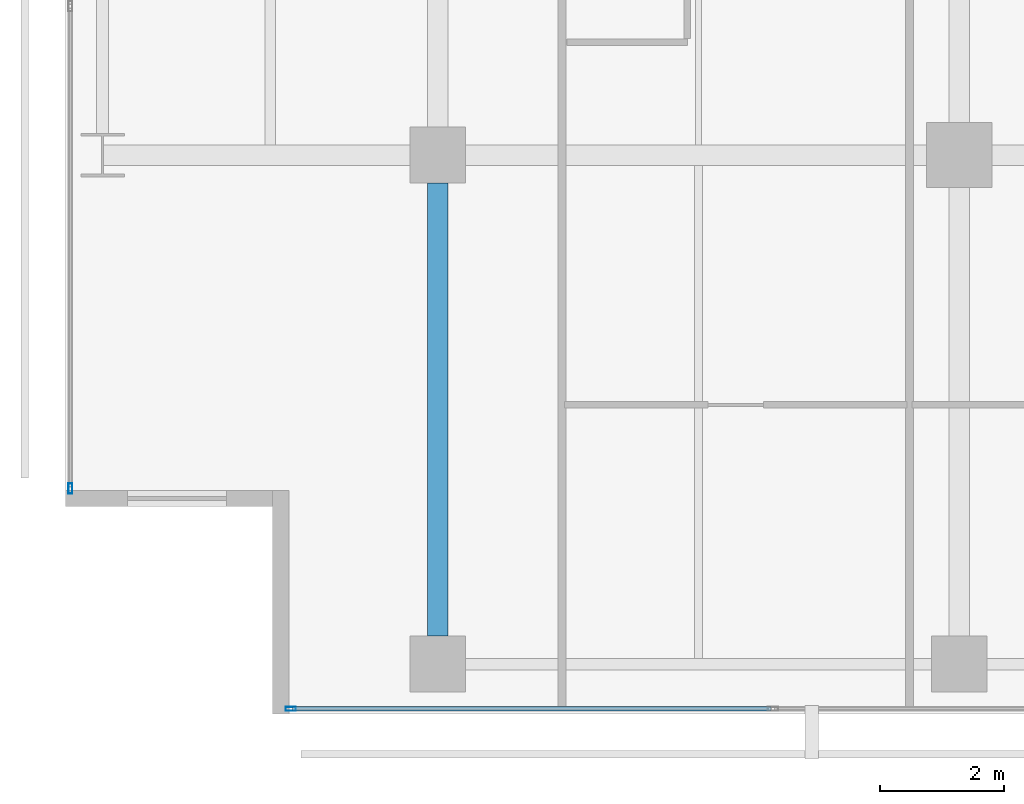
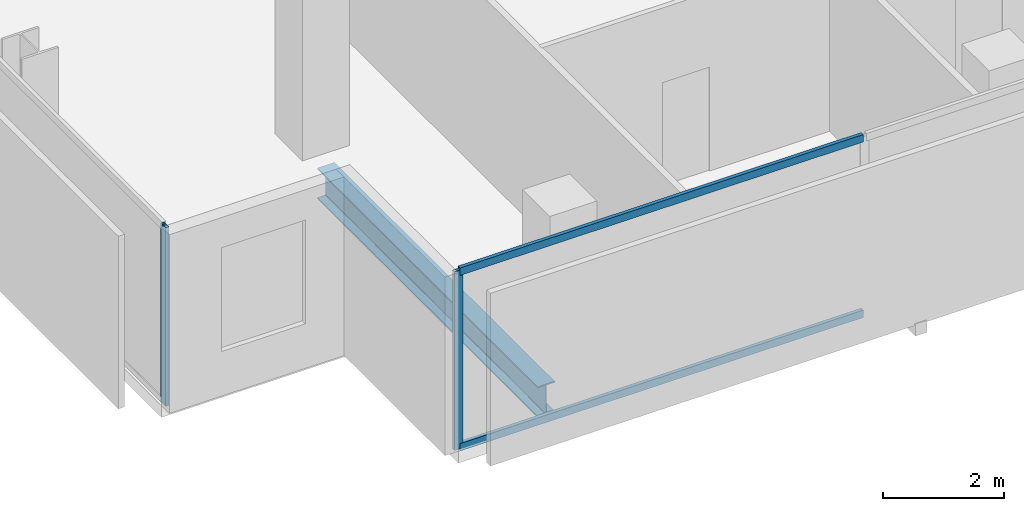
# One storey, part 2 of 40: 4 members, 1 beam, 2 elements without a shape of their own.
"""IFC4 building model written with IfcOpenShell, lengths in metres."""

from ifc_helpers import new_model, si_unit, direction, frame, origin, origin_2d, place, context, subcontext, project, spatial, hollow_rectangle, i_section, extrude, material, layer, layer_set, material_profile, profile_set, type_object, element, aggregate, save


model = new_model("IFC4")

# Units and contexts
model_context = context("Model", 3, precision=1e-05, world=origin(), true_north=direction((0.0, 1.0)))
body_context = subcontext(model_context, "Body", "Model", "MODEL_VIEW")
ifc_project = project(units=[si_unit("LENGTHUNIT", "METRE"), si_unit("AREAUNIT", "SQUARE_METRE"), si_unit("VOLUMEUNIT", "CUBIC_METRE"), si_unit("PLANEANGLEUNIT", "RADIAN"), si_unit("MASSUNIT", "GRAM", prefix="KILO")], contexts=[model_context])

# Site, building, storey
site_placement = place(None, origin())
site = spatial("IfcSite", under=ifc_project, at=site_placement, CompositionType="ELEMENT")
building_placement = place(site_placement, origin())
building = spatial("IfcBuilding", under=site, at=building_placement, Name="Maruvema Waterfront Hotel and Observation Tower", CompositionType="ELEMENT")
storey_placement = place(building_placement, frame((0.0, 0.0, 57.75)))
storey = spatial("IfcBuildingStorey", under=building, at=storey_placement, Name="L13", CompositionType="ELEMENT", Elevation=57.75)

# Curtain wall, members
ifc_material_1 = material(Name="Anodised bronze aluminium and solar-control low-E IGU", Category="aluminium")
ifc_layer = layer(ifc_material_1, 0.159912109375, Name="Zone 1 Bronze Inner Thermal Curtain Wall System CW-02")
ifc_layer_set = layer_set([ifc_layer], Name="Anodised bronze aluminium and solar-control low-E IGU")
curtain_wall_type = type_object("IfcCurtainWallType", Name="Zone 1 Bronze Inner Thermal Curtain Wall System CW-02", PredefinedType="USERDEFINED", material=ifc_layer_set)
curtain_wall_1_placement = place(storey_placement, origin())
curtain_wall_1 = element("IfcCurtainWall", 1, at=curtain_wall_1_placement, inside=storey, type_object=curtain_wall_type, Name="L13 Curtain Wall CW-L13-S", ObjectType="UNITISED CURTAIN WALL", PredefinedType="USERDEFINED")
ifc_material_2 = material(Name="Anodised architectural bronze aluminium", Category="aluminium")
ifc_material_profile_1 = material_profile(ifc_material_2, hollow_rectangle(XDim=0.070068359375, YDim=0.14990234375, WallThickness=0.00390625, at=origin_2d()), Name="ALU-T70x150")
ifc_profile_set_1 = profile_set([ifc_material_profile_1], Name="Anodised architectural bronze aluminium")
member_type_1 = type_object("IfcMemberType", Name="Curtain Wall Horizontal Transom ALU-T70x150", PredefinedType="USERDEFINED", material=ifc_profile_set_1)
member_1_placement = place(storey_placement, frame((14.4599609375, 0.080078125, 0.030029296875), z_axis=(1.0, 0.0, 0.0), x_axis=(0.0, 1.0, 0.0)))
member_1 = element("IfcMember", 2, at=member_1_placement, type_object=member_type_1, Name="CW-02 transom 1.1", ObjectType="TRANSOM", PredefinedType="USERDEFINED", context=body_context, shape_type="SweptSolid", body=[
    extrude(hollow_rectangle(XDim=0.070068359375, YDim=0.14990234375, WallThickness=0.00390625, at=origin_2d()), origin(), (0.0, 0.0, 1.0), 7.7099609375),
])
member_2_placement = place(storey_placement, frame((14.4599609375, 0.080078125, 3.580078125), z_axis=(1.0, 0.0, 0.0), x_axis=(0.0, 1.0, 0.0)))
member_2 = element("IfcMember", 3, at=member_2_placement, type_object=member_type_1, Name="CW-02 transom 1.2", ObjectType="TRANSOM", PredefinedType="USERDEFINED", context=body_context, shape_type="SweptSolid", body=[
    extrude(hollow_rectangle(XDim=0.070068359375, YDim=0.14990234375, WallThickness=0.00390625, at=origin_2d()), origin(), (0.0, 0.0, 1.0), 7.7099609375),
])
ifc_material_3 = material(Name="Anodised architectural bronze aluminium", Category="aluminium")
ifc_material_profile_2 = material_profile(ifc_material_3, hollow_rectangle(XDim=0.06494140625, YDim=0.1650390625, WallThickness=0.00390625, at=origin_2d()), Name="ALU-M65x165")
ifc_profile_set_2 = profile_set([ifc_material_profile_2], Name="Anodised architectural bronze aluminium")
member_type_2 = type_object("IfcMemberType", Name="Curtain Wall Primary Mullion ALU-M65x165", PredefinedType="MULLION", material=ifc_profile_set_2)
member_3_placement = place(storey_placement, frame((14.429931640625, 0.080078125, 0.0), z_axis=(0.0, 0.0, 1.0), x_axis=(0.0, 1.0, 0.0)))
member_3 = element("IfcMember", 4, at=member_3_placement, type_object=member_type_2, Name="CW-02 mullion 1", PredefinedType="MULLION", context=body_context, shape_type="SweptSolid", body=[
    extrude(hollow_rectangle(XDim=0.06494140625, YDim=0.1650390625, WallThickness=0.00390625, at=origin_2d()), origin(), (0.0, 0.0, 1.0), 3.610107421875),
])
aggregate(curtain_wall_1, [member_3, member_1, member_2])

# Curtain wall, member
curtain_wall_2_placement = place(storey_placement, origin())
curtain_wall_2 = element("IfcCurtainWall", 5, at=curtain_wall_2_placement, inside=storey, type_object=curtain_wall_type, Name="L13 Curtain Wall CW-L13-W", ObjectType="UNITISED CURTAIN WALL", PredefinedType="USERDEFINED")
member_4_placement = place(storey_placement, frame((10.8798828125, 3.6298828125, 0.0), z_axis=(0.0, 0.0, 1.0), x_axis=(1.0, 0.0, 0.0)))
member_4 = element("IfcMember", 6, at=member_4_placement, type_object=member_type_2, Name="CW-02 mullion 7", PredefinedType="MULLION", context=body_context, shape_type="SweptSolid", body=[
    extrude(hollow_rectangle(XDim=0.06494140625, YDim=0.1650390625, WallThickness=0.00390625, at=origin_2d()), origin(), (0.0, 0.0, 1.0), 3.610107421875),
])
aggregate(curtain_wall_2, [member_4])

# Beam
ifc_material_4 = material(Name="Steel ASTM A572 Grade 50", Category="steel")
ifc_material_profile_3 = material_profile(ifc_material_4, i_section(OverallWidth=0.326904296875, OverallDepth=0.6220703125, WebThickness=0.015380859375, FlangeThickness=0.0244140625, FilletRadius=0.01806640625, at=origin_2d()), Name="W610x195.0")
ifc_profile_set_3 = profile_set([ifc_material_profile_3], Name="Steel ASTM A572 Grade 50")
beam_type = type_object("IfcBeamType", Name="Primary Floor Girder W610x195.0", PredefinedType="BEAM", material=ifc_profile_set_3)
beam_placement = place(storey_placement, frame((16.800048828125, 1.25, -0.551025390625), z_axis=(0.0, 1.0, 0.0), x_axis=(-1.0, 0.0, 0.0)))
element("IfcBeam", 7, at=beam_placement, inside=storey, type_object=beam_type, Name="L13 Floor Girder NS-05", PredefinedType="BEAM", context=body_context, shape_type="SweptSolid", body=[
    extrude(i_section(OverallWidth=0.326904296875, OverallDepth=0.6220703125, WebThickness=0.015380859375, FlangeThickness=0.0244140625, FilletRadius=0.01806640625, at=origin_2d()), origin(), (0.0, 0.0, 1.0), 7.300048828125),
])

save(model, "model.ifc")
